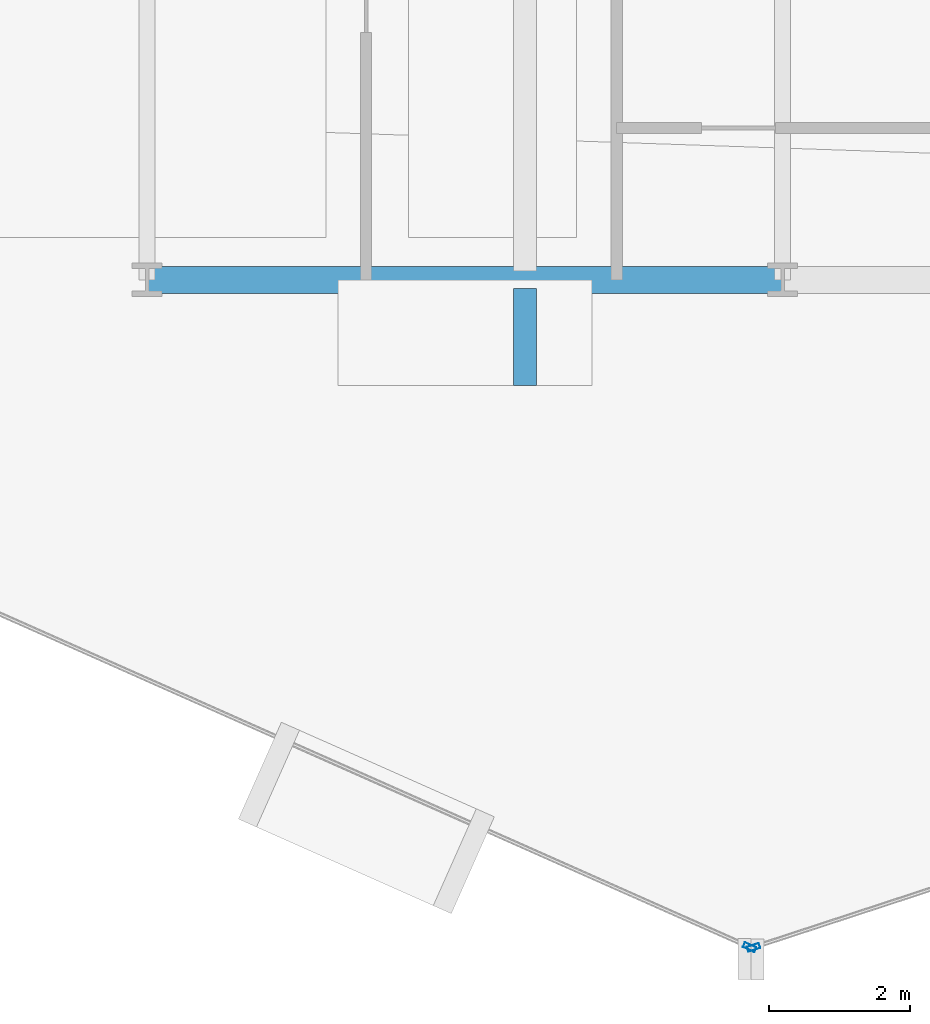
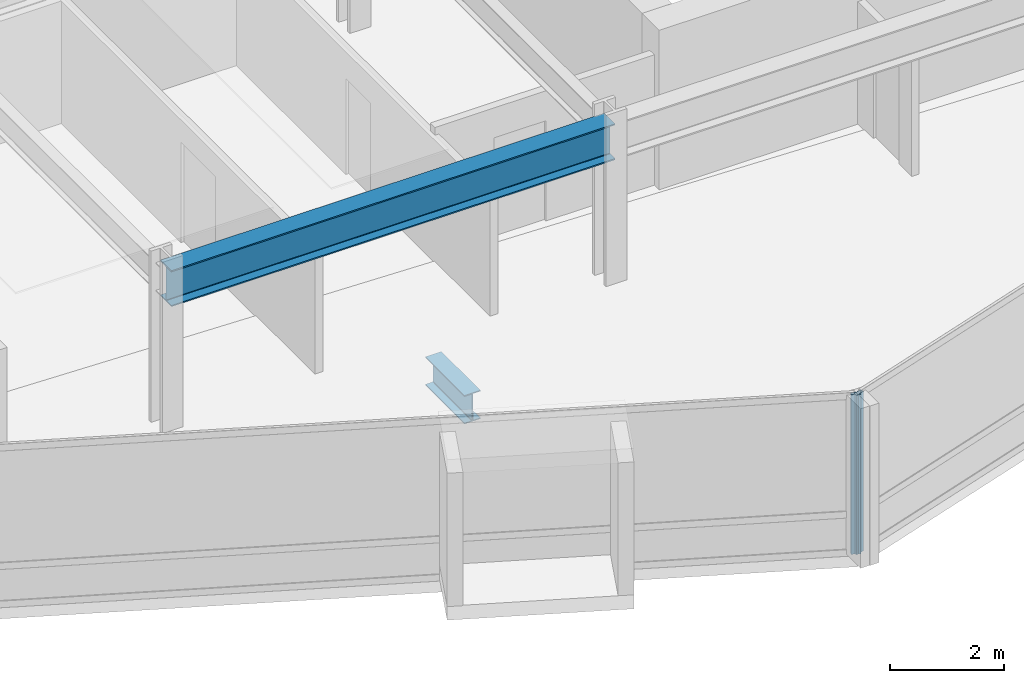
# One storey, part 4 of 34: 2 beams, 2 members, 2 elements without a shape of their own.
"""IFC4 building model written with IfcOpenShell, lengths in metres."""

from ifc_helpers import new_model, si_unit, direction, frame, origin, origin_2d, place, context, subcontext, project, spatial, hollow_rectangle, i_section, extrude, material, layer, layer_set, material_profile, profile_set, type_object, element, aggregate, save


model = new_model("IFC4")

# Units and contexts
model_context = context("Model", 3, precision=1e-05, world=origin(), true_north=direction((0.0, 1.0)))
body_context = subcontext(model_context, "Body", "Model", "MODEL_VIEW")
ifc_project = project(units=[si_unit("LENGTHUNIT", "METRE"), si_unit("AREAUNIT", "SQUARE_METRE"), si_unit("VOLUMEUNIT", "CUBIC_METRE"), si_unit("PLANEANGLEUNIT", "RADIAN"), si_unit("MASSUNIT", "GRAM", prefix="KILO")], contexts=[model_context])

# Site, building, storey
site_placement = place(None, origin())
site = spatial("IfcSite", under=ifc_project, at=site_placement, CompositionType="ELEMENT")
building_placement = place(site_placement, origin())
building = spatial("IfcBuilding", under=site, at=building_placement, Name="Solvaryn Broadcast Tower", CompositionType="ELEMENT")
storey_placement = place(building_placement, frame((0.0, 0.0, 76.699951171875)))
storey = spatial("IfcBuildingStorey", under=building, at=storey_placement, Name="L18", CompositionType="ELEMENT", Elevation=76.699951171875)

# Beams
ifc_material_1 = material(Name="Steel ASTM A992 Grade 50", Category="steel")
ifc_material_profile_1 = material_profile(ifc_material_1, i_section(OverallWidth=0.323974609375, OverallDepth=0.611083984375, WebThickness=0.0126953125, FlangeThickness=0.01904296875, FilletRadius=0.014892578125, at=origin_2d()))
ifc_profile_set_1 = profile_set([ifc_material_profile_1], Name="Steel ASTM A992 Grade 50")
beam_type_1 = type_object("IfcBeamType", Name="BM-CANT-TER", PredefinedType="BEAM", material=ifc_profile_set_1)
beam_1_placement = place(storey_placement, frame((23.35009765625, 8.875, -0.58544921875), z_axis=(0.0, -1.0, 0.0), x_axis=(1.0, 0.0, 0.0)))
element("IfcBeam", 1, at=beam_1_placement, inside=storey, type_object=beam_type_1, Name="L18 Bay-Box Cantilever Bracket 1", PredefinedType="BEAM", context=body_context, shape_type="SweptSolid", body=[
    extrude(i_section(OverallWidth=0.323974609375, OverallDepth=0.611083984375, WebThickness=0.0126953125, FlangeThickness=0.01904296875, FilletRadius=0.014892578125, at=origin_2d()), origin(), (0.0, 0.0, 1.0), 1.375),
])
ifc_material_2 = material(Name="Steel ASTM A992 Grade 50", Category="steel")
ifc_material_profile_2 = material_profile(ifc_material_2, i_section(OverallWidth=0.381103515625, OverallDepth=0.77294921875, WebThickness=0.0166015625, FlangeThickness=0.027099609375, FilletRadius=0.01806640625, at=origin_2d()))
ifc_profile_set_2 = profile_set([ifc_material_profile_2], Name="Steel ASTM A992 Grade 50")
beam_type_2 = type_object("IfcBeamType", Name="BM-SP1-W30X173", PredefinedType="USERDEFINED", material=ifc_profile_set_2)
beam_2_placement = place(storey_placement, frame((18.0, 9.0, 3.033447265625), z_axis=(1.0, 0.0, 0.0), x_axis=(0.0, 1.0, 0.0)))
element("IfcBeam", 2, at=beam_2_placement, inside=storey, type_object=beam_type_2, Name="L18 Spandrel Beam X (18-27 @ Y=9)", ObjectType="SPANDREL", PredefinedType="USERDEFINED", context=body_context, shape_type="SweptSolid", body=[
    extrude(i_section(OverallWidth=0.381103515625, OverallDepth=0.77294921875, WebThickness=0.0166015625, FlangeThickness=0.027099609375, FilletRadius=0.01806640625, at=origin_2d()), origin(), (0.0, 0.0, 1.0), 9.0),
])

# Curtain wall, member
ifc_material_3 = material(Name="Aluminium and Terracotta Unitised Curtain Wall", Category="masonry")
ifc_layer = layer(ifc_material_3, 0.199951171875)
ifc_layer_set = layer_set([ifc_layer], Name="CW-SYS2-LOWMID")
curtain_wall_type = type_object("IfcCurtainWallType", Name="CW-SYS2-LOWMID", PredefinedType="NOTDEFINED", material=ifc_layer_set)
curtain_wall_1_placement = place(storey_placement, origin())
curtain_wall_1 = element("IfcCurtainWall", 3, at=curtain_wall_1_placement, inside=storey, type_object=curtain_wall_type, Name="L18 Curtain Wall DR3", PredefinedType="NOTDEFINED")
ifc_material_4 = material(Name="Anodised Aluminium 6063-T6", Category="aluminium")
ifc_material_profile_3 = material_profile(ifc_material_4, hollow_rectangle(XDim=0.074951171875, YDim=0.179931640625, WallThickness=0.00390625, InnerFilletRadius=0.00390625, OuterFilletRadius=0.008056640625, at=origin_2d()))
ifc_profile_set_3 = profile_set([ifc_material_profile_3], Name="Anodised Aluminium 6063-T6")
member_type = type_object("IfcMemberType", Name="CW-MUL-180", PredefinedType="MULLION", material=ifc_profile_set_3)
member_1_placement = place(storey_placement, frame((26.532470703125, -0.451904296875, 0.0), z_axis=(0.0, 0.0, 1.0), x_axis=(0.405898286554, 0.913918257271, 0.0)))
member_1 = element("IfcMember", 4, at=member_1_placement, type_object=member_type, Name="CWS2 mullion 2", PredefinedType="MULLION", context=body_context, shape_type="SweptSolid", body=[
    extrude(hollow_rectangle(XDim=0.074951171875, YDim=0.179931640625, WallThickness=0.00390625, InnerFilletRadius=0.00390625, OuterFilletRadius=0.008056640625, at=origin_2d()), origin(), (0.0, 0.0, 1.0), 3.420166015625),
])
aggregate(curtain_wall_1, [member_1])

curtain_wall_2_placement = place(storey_placement, origin())
curtain_wall_2 = element("IfcCurtainWall", 5, at=curtain_wall_2_placement, inside=storey, type_object=curtain_wall_type, Name="L18 Curtain Wall DR4", PredefinedType="NOTDEFINED")
member_2_placement = place(storey_placement, frame((26.588623046875, -0.45458984375, 0.0), z_axis=(0.0, 0.0, 1.0), x_axis=(-0.311594044587, 0.950215318429, 0.0)))
member_2 = element("IfcMember", 6, at=member_2_placement, type_object=member_type, Name="CWS2 mullion 1", PredefinedType="MULLION", context=body_context, shape_type="SweptSolid", body=[
    extrude(hollow_rectangle(XDim=0.074951171875, YDim=0.179931640625, WallThickness=0.00390625, InnerFilletRadius=0.00390625, OuterFilletRadius=0.008056640625, at=origin_2d()), origin(), (0.0, 0.0, 1.0), 3.420166015625),
])
aggregate(curtain_wall_2, [member_2])

save(model, "model.ifc")
